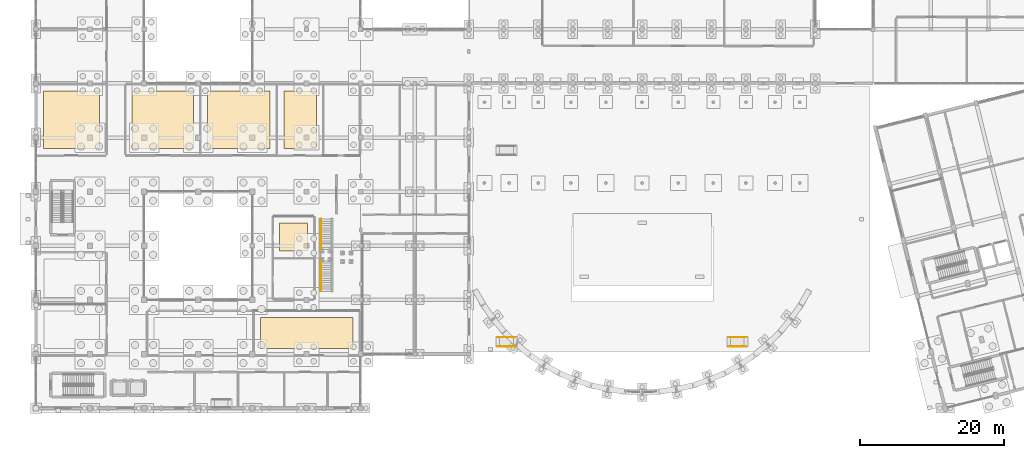
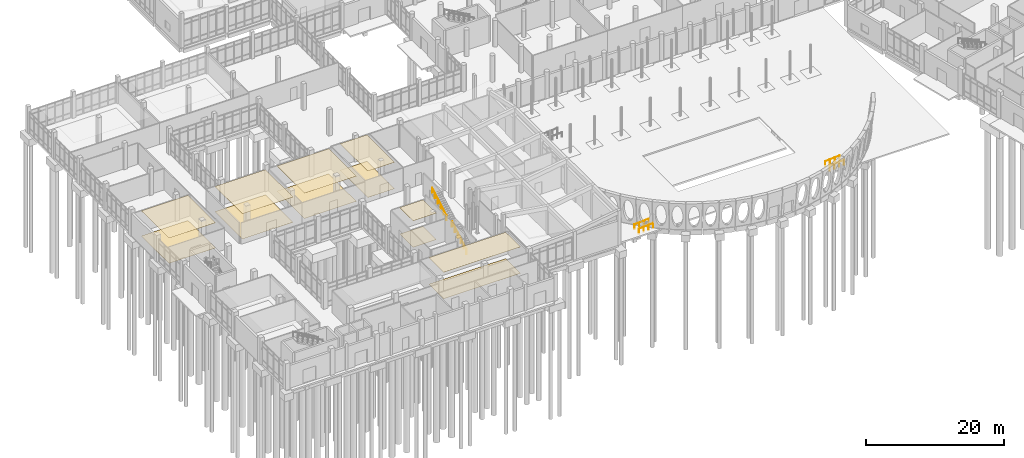
# One storey, part 165 of 173: 12 coverings, 6 railings.
"""IFC4 building model written with IfcOpenShell, lengths in metres."""

from ifc_helpers import new_model, si_unit, direction, frame, origin, origin_2d, place, context, subcontext, project, spatial, polyline, circle, outline, extrude, material, layer, layer_set, type_object, element, save


model = new_model("IFC4")

# Units and contexts
model_context = context("Model", 3, precision=1e-05, world=origin(), true_north=direction((0.0, 1.0)))
body_context = subcontext(model_context, "Body", "Model", "MODEL_VIEW")
ifc_project = project(units=[si_unit("LENGTHUNIT", "METRE"), si_unit("AREAUNIT", "SQUARE_METRE"), si_unit("VOLUMEUNIT", "CUBIC_METRE"), si_unit("PLANEANGLEUNIT", "RADIAN"), si_unit("MASSUNIT", "GRAM", prefix="KILO")], contexts=[model_context])

# Site, building, storey
site_placement = place(None, origin())
site = spatial("IfcSite", under=ifc_project, at=site_placement, CompositionType="ELEMENT")
building_placement = place(site_placement, origin())
building = spatial("IfcBuilding", under=site, at=building_placement, Name="Mawjan Specialist Oncology Clinic", CompositionType="ELEMENT")
storey_placement = place(building_placement, origin())
storey = spatial("IfcBuildingStorey", under=building, at=storey_placement, Name="L00", CompositionType="ELEMENT", Elevation=0.0)

# Coverings
ifc_material_1 = material(Name="Hygienic antimicrobial acoustic mineral ceiling tile", Category="gypsum")
ifc_layer_1 = layer(ifc_material_1, 0.02001953125, Name="Hygienic antimicrobial acoustic mineral ceiling tile", Category="gypsum")
ifc_layer_set_1 = layer_set([ifc_layer_1], Name="Hygienic antimicrobial acoustic mineral ceiling tile")
covering_type_1 = type_object("IfcCoveringType", Name="CLG-AC20", PredefinedType="CEILING", material=ifc_layer_set_1)
covering_1_placement = place(storey_placement, frame((0.0, 0.0, 4.675048828125)))
element("IfcCovering", 1, at=covering_1_placement, inside=storey, type_object=covering_type_1, Name="L00 Oncology Nurse Counseling Room Acoustic Ceiling", PredefinedType="CEILING", context=body_context, shape_type="SweptSolid", body=[
    extrude(outline(polyline([(31.110107421875, 13.35009765625), (43.969970703125, 13.35009765625), (43.969970703125, 9.050048828125), (31.110107421875, 9.050048828125), (31.110107421875, 13.35009765625)])), origin(), (0.0, 0.0, 1.0), 0.02001953125),
])
covering_2_placement = place(storey_placement, frame((0.0, 0.0, 4.455078125)))
element("IfcCovering", 2, at=covering_2_placement, inside=storey, type_object=covering_type_1, Name="L00 Medical Oncology Consulting Room Acoustic Ceiling", PredefinedType="CEILING", context=body_context, shape_type="SweptSolid", body=[
    extrude(outline(polyline([(1.030029296875, 44.77001953125), (8.85009765625, 44.77001953125), (8.85009765625, 36.75), (1.030029296875, 36.75), (1.030029296875, 44.77001953125)])), origin(), (0.0, 0.0, 1.0), 0.02001953125),
])
covering_3_placement = place(storey_placement, frame((0.0, 0.0, 4.455078125)))
element("IfcCovering", 3, at=covering_3_placement, inside=storey, type_object=covering_type_1, Name="L00 Surgical Oncology Exam Suite Acoustic Ceiling", PredefinedType="CEILING", context=body_context, shape_type="SweptSolid", body=[
    extrude(outline(polyline([(13.35009765625, 44.77001953125), (21.85009765625, 44.77001953125), (21.85009765625, 36.75), (13.35009765625, 36.75), (13.35009765625, 44.77001953125)])), origin(), (0.0, 0.0, 1.0), 0.02001953125),
])
covering_4_placement = place(storey_placement, frame((0.0, 0.0, 4.455078125)))
element("IfcCovering", 4, at=covering_4_placement, inside=storey, type_object=covering_type_1, Name="L00 Outpatient Triage Assessment Room Acoustic Ceiling", PredefinedType="CEILING", context=body_context, shape_type="SweptSolid", body=[
    extrude(outline(polyline([(23.75, 44.77001953125), (32.449951171875, 44.77001953125), (32.449951171875, 36.75), (23.75, 36.75), (23.75, 44.77001953125)])), origin(), (0.0, 0.0, 1.0), 0.02001953125),
])
covering_5_placement = place(storey_placement, frame((0.0, 0.0, 4.675048828125)))
element("IfcCovering", 5, at=covering_5_placement, inside=storey, type_object=covering_type_1, Name="L00 Quiet Prayer Room Acoustic Ceiling", PredefinedType="CEILING", context=body_context, shape_type="SweptSolid", body=[
    extrude(outline(polyline([(34.35009765625, 44.77001953125), (38.85009765625, 44.77001953125), (38.85009765625, 36.75), (34.35009765625, 36.75), (34.35009765625, 44.77001953125)])), origin(), (0.0, 0.0, 1.0), 0.02001953125),
])
covering_6_placement = place(storey_placement, frame((0.0, 0.0, 4.675048828125)))
element("IfcCovering", 6, at=covering_6_placement, inside=storey, type_object=covering_type_1, Name="L00 Patient Navigation Office Acoustic Ceiling", PredefinedType="CEILING", context=body_context, shape_type="SweptSolid", body=[
    extrude(outline(polyline([(33.75, 26.449951171875), (37.64990234375, 26.449951171875), (37.64990234375, 22.550048828125), (33.75, 22.550048828125), (33.75, 26.449951171875)])), origin(), (0.0, 0.0, 1.0), 0.02001953125),
])
ifc_material_2 = material(Name="Seamless clinical anti-static homogeneous vinyl flooring", Category="plastic")
ifc_layer_2 = layer(ifc_material_2, 0.008056640625, Name="Seamless clinical anti-static homogeneous vinyl flooring", Category="plastic")
ifc_layer_set_2 = layer_set([ifc_layer_2], Name="Seamless clinical anti-static homogeneous vinyl flooring")
covering_type_2 = type_object("IfcCoveringType", Name="FLR-VN08", PredefinedType="FLOORING", material=ifc_layer_set_2)
covering_7_placement = place(storey_placement, origin())
element("IfcCovering", 7, at=covering_7_placement, inside=storey, type_object=covering_type_2, Name="L00 Oncology Nurse Counseling Room Clinical Vinyl Flooring", PredefinedType="FLOORING", context=body_context, shape_type="SweptSolid", body=[
    extrude(outline(polyline([(31.110107421875, 13.35009765625), (43.969970703125, 13.35009765625), (43.969970703125, 9.050048828125), (31.110107421875, 9.050048828125), (31.110107421875, 13.35009765625)])), origin(), (0.0, 0.0, 1.0), 0.008056640625),
])
covering_8_placement = place(storey_placement, origin())
element("IfcCovering", 8, at=covering_8_placement, inside=storey, type_object=covering_type_2, Name="L00 Medical Oncology Consulting Room Clinical Vinyl Flooring", PredefinedType="FLOORING", context=body_context, shape_type="SweptSolid", body=[
    extrude(outline(polyline([(1.030029296875, 44.77001953125), (8.85009765625, 44.77001953125), (8.85009765625, 36.75), (1.030029296875, 36.75), (1.030029296875, 44.77001953125)])), origin(), (0.0, 0.0, 1.0), 0.008056640625),
])
covering_9_placement = place(storey_placement, origin())
element("IfcCovering", 9, at=covering_9_placement, inside=storey, type_object=covering_type_2, Name="L00 Surgical Oncology Exam Suite Clinical Vinyl Flooring", PredefinedType="FLOORING", context=body_context, shape_type="SweptSolid", body=[
    extrude(outline(polyline([(13.35009765625, 44.77001953125), (21.85009765625, 44.77001953125), (21.85009765625, 36.75), (13.35009765625, 36.75), (13.35009765625, 44.77001953125)])), origin(), (0.0, 0.0, 1.0), 0.008056640625),
])
covering_10_placement = place(storey_placement, origin())
element("IfcCovering", 10, at=covering_10_placement, inside=storey, type_object=covering_type_2, Name="L00 Outpatient Triage Assessment Room Clinical Vinyl Flooring", PredefinedType="FLOORING", context=body_context, shape_type="SweptSolid", body=[
    extrude(outline(polyline([(23.75, 44.77001953125), (32.449951171875, 44.77001953125), (32.449951171875, 36.75), (23.75, 36.75), (23.75, 44.77001953125)])), origin(), (0.0, 0.0, 1.0), 0.008056640625),
])
covering_11_placement = place(storey_placement, origin())
element("IfcCovering", 11, at=covering_11_placement, inside=storey, type_object=covering_type_2, Name="L00 Quiet Prayer Room Clinical Vinyl Flooring", PredefinedType="FLOORING", context=body_context, shape_type="SweptSolid", body=[
    extrude(outline(polyline([(34.35009765625, 44.77001953125), (38.85009765625, 44.77001953125), (38.85009765625, 36.75), (34.35009765625, 36.75), (34.35009765625, 44.77001953125)])), origin(), (0.0, 0.0, 1.0), 0.008056640625),
])
covering_12_placement = place(storey_placement, origin())
element("IfcCovering", 12, at=covering_12_placement, inside=storey, type_object=covering_type_2, Name="L00 Patient Navigation Office Clinical Vinyl Flooring", PredefinedType="FLOORING", context=body_context, shape_type="SweptSolid", body=[
    extrude(outline(polyline([(33.75, 26.449951171875), (37.64990234375, 26.449951171875), (37.64990234375, 22.550048828125), (33.75, 22.550048828125), (33.75, 26.449951171875)])), origin(), (0.0, 0.0, 1.0), 0.008056640625),
])

# Railings
ifc_material_3 = material(Name="Brushed stainless-steel tubular handrail", Category="steel")
railing_type = type_object("IfcRailingType", Name="HR-090", PredefinedType="HANDRAIL", material=ifc_material_3)
for number, where, name in (
    (13, (39.52490234375, 17.0, 0.166748046875), "ST-10 Communicating Stair Handrail 1"),
    (14, (39.52490234375, 22.800048828125, 2.666748046875), "ST-10 Communicating Stair Handrail 2"),
):
    element("IfcRailing", number, at=place(storey_placement, frame(where)), inside=storey, type_object=railing_type, Name=name, PredefinedType="HANDRAIL", context=body_context, shape_type="SweptSolid", body=[
        extrude(circle(Radius=0.02392578125, at=origin_2d()), frame((0.0, 0.0, 0.8759765625), z_axis=(0.0, 0.874162069901, 0.485634302275), x_axis=(-1.0, 0.0, 0.0)), (0.0, 0.0, 1.0), 4.804443359375),
        extrude(circle(Radius=0.02099609375, at=origin_2d()), origin(), (0.0, 0.0, 1.0), 0.851806640625),
        extrude(circle(Radius=0.02099609375, at=origin_2d()), frame((0.0, 0.840087890625, 0.466552734375)), (0.0, 0.0, 1.0), 0.851806640625),
        extrude(circle(Radius=0.02099609375, at=origin_2d()), frame((0.0, 1.679931640625, 0.933349609375)), (0.0, 0.0, 1.0), 0.851806640625),
        extrude(circle(Radius=0.02099609375, at=origin_2d()), frame((0.0, 2.52001953125, 1.39990234375)), (0.0, 0.0, 1.0), 0.851806640625),
        extrude(circle(Radius=0.02099609375, at=origin_2d()), frame((0.0, 3.35986328125, 1.86669921875)), (0.0, 0.0, 1.0), 0.851806640625),
        extrude(circle(Radius=0.02099609375, at=origin_2d()), frame((0.0, 4.199951171875, 2.333251953125)), (0.0, 0.0, 1.0), 0.851806640625),
    ])
for number, where, name in (
    (15, (64.0, 9.360107421875, -0.179931640625), "PR-02 Accessible Ramp Handrail L"),
    (16, (64.0, 10.639892578125, -0.179931640625), "PR-02 Accessible Ramp Handrail R"),
    (17, (96.0, 9.360107421875, -0.179931640625), "PR-03 Accessible Ramp Handrail L"),
    (18, (96.0, 10.639892578125, -0.179931640625), "PR-03 Accessible Ramp Handrail R"),
):
    element("IfcRailing", number, at=place(storey_placement, frame(where)), inside=storey, type_object=railing_type, Name=name, PredefinedType="HANDRAIL", context=body_context, shape_type="SweptSolid", body=[
        extrude(circle(Radius=0.02392578125, at=origin_2d()), frame((0.0, 0.0, 0.8759765625), z_axis=(0.997201201018, 0.0, 0.074764728906), x_axis=(0.0, 1.0, 0.0)), (0.0, 0.0, 1.0), 2.40673828125),
        extrude(circle(Radius=0.02099609375, at=origin_2d()), origin(), (0.0, 0.0, 1.0), 0.851806640625),
        extrude(circle(Radius=0.02099609375, at=origin_2d()), frame((0.800048828125, 0.0, 0.06005859375)), (0.0, 0.0, 1.0), 0.851806640625),
        extrude(circle(Radius=0.02099609375, at=origin_2d()), frame((1.599853515625, 0.0, 0.119873046875)), (0.0, 0.0, 1.0), 0.851806640625),
        extrude(circle(Radius=0.02099609375, at=origin_2d()), frame((2.39990234375, 0.0, 0.179931640625)), (0.0, 0.0, 1.0), 0.851806640625),
    ])

save(model, "model.ifc")
